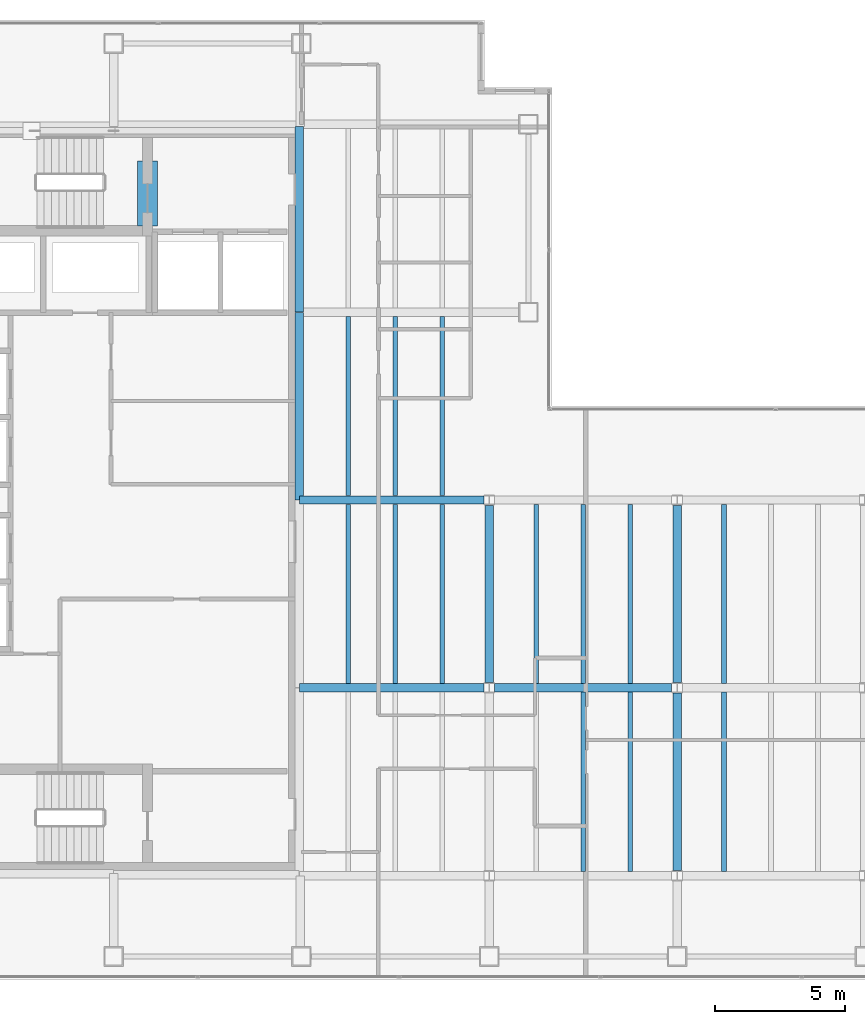
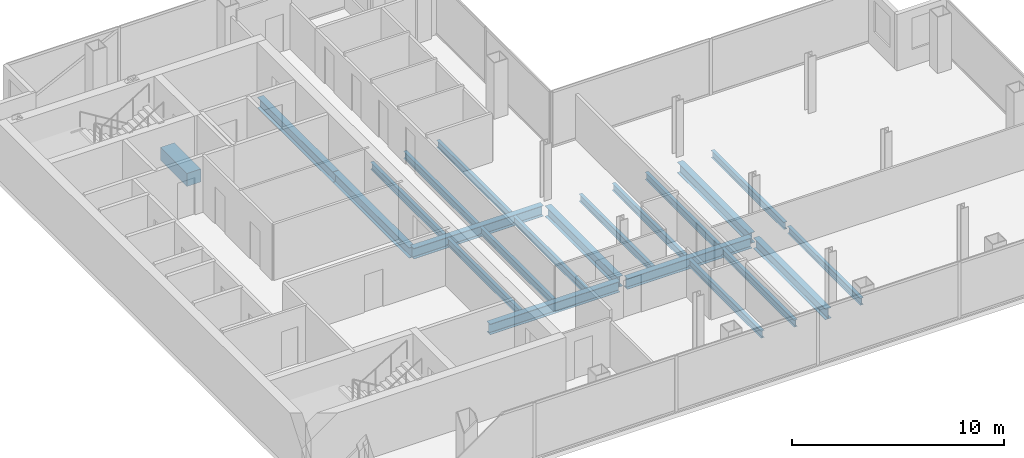
# One storey, part 7 of 23: 22 beams.
"""IFC4 building model written with IfcOpenShell, lengths in metres."""

from ifc_helpers import new_model, si_unit, direction, frame, origin, origin_2d, place, context, subcontext, project, spatial, rectangle, i_section, extrude, material, material_profile, profile_set, type_object, element, save


model = new_model("IFC4")

# Units and contexts
model_context = context("Model", 3, precision=1e-05, world=origin(), true_north=direction((0.0, 1.0)))
body_context = subcontext(model_context, "Body", "Model", "MODEL_VIEW")
ifc_project = project(units=[si_unit("LENGTHUNIT", "METRE"), si_unit("AREAUNIT", "SQUARE_METRE"), si_unit("VOLUMEUNIT", "CUBIC_METRE"), si_unit("PLANEANGLEUNIT", "RADIAN"), si_unit("MASSUNIT", "GRAM", prefix="KILO")], contexts=[model_context])

# Site, building, storey
site_placement = place(None, origin())
site = spatial("IfcSite", under=ifc_project, at=site_placement, CompositionType="ELEMENT")
building_placement = place(site_placement, origin())
building = spatial("IfcBuilding", under=site, at=building_placement, Name="Cobrela Telecom Tower", CompositionType="ELEMENT")
storey_placement = place(building_placement, frame((0.0, 0.0, 204.75)))
storey = spatial("IfcBuildingStorey", under=building, at=storey_placement, Name="L52", CompositionType="ELEMENT", Elevation=204.75)

# Beams
ifc_material_1 = material(Name="Concrete C40/50", Category="concrete")
ifc_material_profile_1 = material_profile(ifc_material_1, rectangle(XDim=0.75, YDim=0.75, at=origin_2d()), Name="RC 750x750")
ifc_profile_set_1 = profile_set([ifc_material_profile_1], Name="Concrete C40/50")
beam_type_1 = type_object("IfcBeamType", Name="BM-COUP-RC", PredefinedType="LINTEL", material=ifc_profile_set_1)
beam_1_placement = place(storey_placement, frame((8.5, 32.10009765625, -0.610107421875), z_axis=(0.0, 1.0, 0.0), x_axis=(-1.0, 0.0, 0.0)))
element("IfcBeam", 1, at=beam_1_placement, inside=storey, type_object=beam_type_1, Name="L52 Core Coupling Lintel Beam", PredefinedType="LINTEL", context=body_context, shape_type="SweptSolid", body=[
    extrude(rectangle(XDim=0.75, YDim=0.75, at=origin_2d()), origin(), (0.0, 0.0, 1.0), 2.5),
])
ifc_material_2 = material(Name="Steel ASTM A992 Grade 50", Category="steel")
ifc_material_profile_2 = material_profile(ifc_material_2, i_section(OverallWidth=0.324951171875, OverallDepth=0.612060546875, WebThickness=0.0126953125, FlangeThickness=0.01904296875, FilletRadius=0.014892578125, at=origin_2d()), Name="W24X104")
ifc_profile_set_2 = profile_set([ifc_material_profile_2], Name="Steel ASTM A992 Grade 50")
beam_type_2 = type_object("IfcBeamType", Name="BM-GIRD-07", PredefinedType="USERDEFINED", material=ifc_profile_set_2)
beam_2_placement = place(storey_placement, frame((14.324951171875, 14.39990234375, -0.56591796875), z_axis=(1.0, 0.0, 0.0), x_axis=(0.0, 1.0, 0.0)))
element("IfcBeam", 2, at=beam_2_placement, inside=storey, type_object=beam_type_2, Name="L52 Primary Girder X11", ObjectType="GIRDER", PredefinedType="USERDEFINED", context=body_context, shape_type="SweptSolid", body=[
    extrude(i_section(OverallWidth=0.324951171875, OverallDepth=0.612060546875, WebThickness=0.0126953125, FlangeThickness=0.01904296875, FilletRadius=0.014892578125, at=origin_2d()), origin(), (0.0, 0.0, 1.0), 7.070556640625),
])
beam_3_placement = place(storey_placement, frame((21.804443359375, 14.39990234375, -0.56591796875), z_axis=(1.0, 0.0, 0.0), x_axis=(0.0, 1.0, 0.0)))
element("IfcBeam", 3, at=beam_3_placement, inside=storey, type_object=beam_type_2, Name="L52 Primary Girder X12", ObjectType="GIRDER", PredefinedType="USERDEFINED", context=body_context, shape_type="SweptSolid", body=[
    extrude(i_section(OverallWidth=0.324951171875, OverallDepth=0.612060546875, WebThickness=0.0126953125, FlangeThickness=0.01904296875, FilletRadius=0.014892578125, at=origin_2d()), origin(), (0.0, 0.0, 1.0), 6.791015625),
])
beam_4_placement = place(storey_placement, frame((14.324951171875, 21.60009765625, -0.56591796875), z_axis=(1.0, 0.0, 0.0), x_axis=(0.0, 1.0, 0.0)))
element("IfcBeam", 4, at=beam_4_placement, inside=storey, type_object=beam_type_2, Name="L52 Primary Girder X15", ObjectType="GIRDER", PredefinedType="USERDEFINED", context=body_context, shape_type="SweptSolid", body=[
    extrude(i_section(OverallWidth=0.324951171875, OverallDepth=0.612060546875, WebThickness=0.0126953125, FlangeThickness=0.01904296875, FilletRadius=0.014892578125, at=origin_2d()), origin(), (0.0, 0.0, 1.0), 7.070556640625),
])
beam_5_placement = place(storey_placement, frame((14.320068359375, 21.60498046875, -0.56591796875), z_axis=(0.0, 1.0, 0.0), x_axis=(-1.0, 0.0, 0.0)))
element("IfcBeam", 5, at=beam_5_placement, inside=storey, type_object=beam_type_2, Name="L52 Primary Girder Y29", ObjectType="GIRDER", PredefinedType="USERDEFINED", context=body_context, shape_type="SweptSolid", body=[
    extrude(i_section(OverallWidth=0.324951171875, OverallDepth=0.612060546875, WebThickness=0.0126953125, FlangeThickness=0.01904296875, FilletRadius=0.014892578125, at=origin_2d()), origin(), (0.0, 0.0, 1.0), 7.18994140625),
])
beam_6_placement = place(storey_placement, frame((14.320068359375, 28.804931640625, -0.56591796875), z_axis=(0.0, 1.0, 0.0), x_axis=(-1.0, 0.0, 0.0)))
element("IfcBeam", 6, at=beam_6_placement, inside=storey, type_object=beam_type_2, Name="L52 Primary Girder Y30", ObjectType="GIRDER", PredefinedType="USERDEFINED", context=body_context, shape_type="SweptSolid", body=[
    extrude(i_section(OverallWidth=0.324951171875, OverallDepth=0.612060546875, WebThickness=0.0126953125, FlangeThickness=0.01904296875, FilletRadius=0.014892578125, at=origin_2d()), origin(), (0.0, 0.0, 1.0), 7.110107421875),
])
for number, where, z_axis, x_axis, name in (
    (7, (21.60009765625, 14.6044921875, -0.56591796875), (0.0, 1.0, 0.0), (-1.0, 0.0, 0.0), "L52 Primary Girder Y34"),
    (8, (28.800048828125, 7.404541015625, -0.56591796875), (0.0, 1.0, 0.0), (-1.0, 0.0, 0.0), "L52 Primary Girder Y37"),
    (9, (28.800048828125, 14.6044921875, -0.56591796875), (0.0, 1.0, 0.0), (-1.0, 0.0, 0.0), "L52 Primary Girder Y38"),
):
    element("IfcBeam", number, at=place(storey_placement, frame(where, z_axis=z_axis, x_axis=x_axis)), inside=storey, type_object=beam_type_2, Name=name, ObjectType="GIRDER", PredefinedType="USERDEFINED", context=body_context, shape_type="SweptSolid", body=[
        extrude(i_section(OverallWidth=0.324951171875, OverallDepth=0.612060546875, WebThickness=0.0126953125, FlangeThickness=0.01904296875, FilletRadius=0.014892578125, at=origin_2d()), origin(), (0.0, 0.0, 1.0), 6.791015625),
    ])
ifc_material_profile_3 = material_profile(ifc_material_2, i_section(OverallWidth=0.179931640625, OverallDepth=0.4169921875, WebThickness=0.010986328125, FlangeThickness=0.01806640625, FilletRadius=0.011962890625, at=origin_2d()), Name="W16X57")
ifc_profile_set_3 = profile_set([ifc_material_profile_3], Name="Steel ASTM A992 Grade 50")
beam_type_3 = type_object("IfcBeamType", Name="BM-JOIST-04", PredefinedType="JOIST", material=ifc_profile_set_3)
beam_7_placement = place(storey_placement, frame((16.199951171875, 14.5673828125, -0.468505859375), z_axis=(0.0, 1.0, 0.0), x_axis=(-1.0, 0.0, 0.0)))
element("IfcBeam", 10, at=beam_7_placement, inside=storey, type_object=beam_type_3, Name="L52 Secondary Composite Floor Beam J02", PredefinedType="JOIST", context=body_context, shape_type="SweptSolid", body=[
    extrude(i_section(OverallWidth=0.179931640625, OverallDepth=0.4169921875, WebThickness=0.010986328125, FlangeThickness=0.01806640625, FilletRadius=0.011962890625, at=origin_2d()), origin(), (0.0, 0.0, 1.0), 6.865234375),
])
beam_8_placement = place(storey_placement, frame((16.199951171875, 21.767578125, -0.468505859375), z_axis=(0.0, 1.0, 0.0), x_axis=(-1.0, 0.0, 0.0)))
element("IfcBeam", 11, at=beam_8_placement, inside=storey, type_object=beam_type_3, Name="L52 Secondary Composite Floor Beam J03", PredefinedType="JOIST", context=body_context, shape_type="SweptSolid", body=[
    extrude(i_section(OverallWidth=0.179931640625, OverallDepth=0.4169921875, WebThickness=0.010986328125, FlangeThickness=0.01806640625, FilletRadius=0.011962890625, at=origin_2d()), origin(), (0.0, 0.0, 1.0), 6.864990234375),
])
beam_9_placement = place(storey_placement, frame((18.0, 14.5673828125, -0.468505859375), z_axis=(0.0, 1.0, 0.0), x_axis=(-1.0, 0.0, 0.0)))
element("IfcBeam", 12, at=beam_9_placement, inside=storey, type_object=beam_type_3, Name="L52 Secondary Composite Floor Beam J06", PredefinedType="JOIST", context=body_context, shape_type="SweptSolid", body=[
    extrude(i_section(OverallWidth=0.179931640625, OverallDepth=0.4169921875, WebThickness=0.010986328125, FlangeThickness=0.01806640625, FilletRadius=0.011962890625, at=origin_2d()), origin(), (0.0, 0.0, 1.0), 6.865234375),
])
beam_10_placement = place(storey_placement, frame((18.0, 21.767578125, -0.468505859375), z_axis=(0.0, 1.0, 0.0), x_axis=(-1.0, 0.0, 0.0)))
element("IfcBeam", 13, at=beam_10_placement, inside=storey, type_object=beam_type_3, Name="L52 Secondary Composite Floor Beam J07", PredefinedType="JOIST", context=body_context, shape_type="SweptSolid", body=[
    extrude(i_section(OverallWidth=0.179931640625, OverallDepth=0.4169921875, WebThickness=0.010986328125, FlangeThickness=0.01806640625, FilletRadius=0.011962890625, at=origin_2d()), origin(), (0.0, 0.0, 1.0), 6.864990234375),
])
beam_11_placement = place(storey_placement, frame((19.800048828125, 14.5673828125, -0.468505859375), z_axis=(0.0, 1.0, 0.0), x_axis=(-1.0, 0.0, 0.0)))
element("IfcBeam", 14, at=beam_11_placement, inside=storey, type_object=beam_type_3, Name="L52 Secondary Composite Floor Beam J10", PredefinedType="JOIST", context=body_context, shape_type="SweptSolid", body=[
    extrude(i_section(OverallWidth=0.179931640625, OverallDepth=0.4169921875, WebThickness=0.010986328125, FlangeThickness=0.01806640625, FilletRadius=0.011962890625, at=origin_2d()), origin(), (0.0, 0.0, 1.0), 6.865234375),
])
beam_12_placement = place(storey_placement, frame((19.800048828125, 21.767578125, -0.468505859375), z_axis=(0.0, 1.0, 0.0), x_axis=(-1.0, 0.0, 0.0)))
element("IfcBeam", 15, at=beam_12_placement, inside=storey, type_object=beam_type_3, Name="L52 Secondary Composite Floor Beam J11", PredefinedType="JOIST", context=body_context, shape_type="SweptSolid", body=[
    extrude(i_section(OverallWidth=0.179931640625, OverallDepth=0.4169921875, WebThickness=0.010986328125, FlangeThickness=0.01806640625, FilletRadius=0.011962890625, at=origin_2d()), origin(), (0.0, 0.0, 1.0), 6.864990234375),
])
beam_13_placement = place(storey_placement, frame((23.39990234375, 14.5673828125, -0.468505859375), z_axis=(0.0, 1.0, 0.0), x_axis=(-1.0, 0.0, 0.0)))
element("IfcBeam", 16, at=beam_13_placement, inside=storey, type_object=beam_type_3, Name="L52 Secondary Composite Floor Beam J14", PredefinedType="JOIST", context=body_context, shape_type="SweptSolid", body=[
    extrude(i_section(OverallWidth=0.179931640625, OverallDepth=0.4169921875, WebThickness=0.010986328125, FlangeThickness=0.01806640625, FilletRadius=0.011962890625, at=origin_2d()), origin(), (0.0, 0.0, 1.0), 6.865234375),
])
beam_14_placement = place(storey_placement, frame((25.199951171875, 7.367431640625, -0.468505859375), z_axis=(0.0, 1.0, 0.0), x_axis=(-1.0, 0.0, 0.0)))
element("IfcBeam", 17, at=beam_14_placement, inside=storey, type_object=beam_type_3, Name="L52 Secondary Composite Floor Beam J15", PredefinedType="JOIST", context=body_context, shape_type="SweptSolid", body=[
    extrude(i_section(OverallWidth=0.179931640625, OverallDepth=0.4169921875, WebThickness=0.010986328125, FlangeThickness=0.01806640625, FilletRadius=0.011962890625, at=origin_2d()), origin(), (0.0, 0.0, 1.0), 6.864990234375),
])
beam_15_placement = place(storey_placement, frame((25.199951171875, 14.5673828125, -0.468505859375), z_axis=(0.0, 1.0, 0.0), x_axis=(-1.0, 0.0, 0.0)))
element("IfcBeam", 18, at=beam_15_placement, inside=storey, type_object=beam_type_3, Name="L52 Secondary Composite Floor Beam J16", PredefinedType="JOIST", context=body_context, shape_type="SweptSolid", body=[
    extrude(i_section(OverallWidth=0.179931640625, OverallDepth=0.4169921875, WebThickness=0.010986328125, FlangeThickness=0.01806640625, FilletRadius=0.011962890625, at=origin_2d()), origin(), (0.0, 0.0, 1.0), 6.865234375),
])
beam_16_placement = place(storey_placement, frame((27.0, 7.367431640625, -0.468505859375), z_axis=(0.0, 1.0, 0.0), x_axis=(-1.0, 0.0, 0.0)))
element("IfcBeam", 19, at=beam_16_placement, inside=storey, type_object=beam_type_3, Name="L52 Secondary Composite Floor Beam J17", PredefinedType="JOIST", context=body_context, shape_type="SweptSolid", body=[
    extrude(i_section(OverallWidth=0.179931640625, OverallDepth=0.4169921875, WebThickness=0.010986328125, FlangeThickness=0.01806640625, FilletRadius=0.011962890625, at=origin_2d()), origin(), (0.0, 0.0, 1.0), 6.864990234375),
])
beam_17_placement = place(storey_placement, frame((27.0, 14.5673828125, -0.468505859375), z_axis=(0.0, 1.0, 0.0), x_axis=(-1.0, 0.0, 0.0)))
element("IfcBeam", 20, at=beam_17_placement, inside=storey, type_object=beam_type_3, Name="L52 Secondary Composite Floor Beam J18", PredefinedType="JOIST", context=body_context, shape_type="SweptSolid", body=[
    extrude(i_section(OverallWidth=0.179931640625, OverallDepth=0.4169921875, WebThickness=0.010986328125, FlangeThickness=0.01806640625, FilletRadius=0.011962890625, at=origin_2d()), origin(), (0.0, 0.0, 1.0), 6.865234375),
])
beam_18_placement = place(storey_placement, frame((30.60009765625, 7.367431640625, -0.468505859375), z_axis=(0.0, 1.0, 0.0), x_axis=(-1.0, 0.0, 0.0)))
element("IfcBeam", 21, at=beam_18_placement, inside=storey, type_object=beam_type_3, Name="L52 Secondary Composite Floor Beam J19", PredefinedType="JOIST", context=body_context, shape_type="SweptSolid", body=[
    extrude(i_section(OverallWidth=0.179931640625, OverallDepth=0.4169921875, WebThickness=0.010986328125, FlangeThickness=0.01806640625, FilletRadius=0.011962890625, at=origin_2d()), origin(), (0.0, 0.0, 1.0), 6.864990234375),
])
beam_19_placement = place(storey_placement, frame((30.60009765625, 14.5673828125, -0.468505859375), z_axis=(0.0, 1.0, 0.0), x_axis=(-1.0, 0.0, 0.0)))
element("IfcBeam", 22, at=beam_19_placement, inside=storey, type_object=beam_type_3, Name="L52 Secondary Composite Floor Beam J20", PredefinedType="JOIST", context=body_context, shape_type="SweptSolid", body=[
    extrude(i_section(OverallWidth=0.179931640625, OverallDepth=0.4169921875, WebThickness=0.010986328125, FlangeThickness=0.01806640625, FilletRadius=0.011962890625, at=origin_2d()), origin(), (0.0, 0.0, 1.0), 6.865234375),
])

save(model, "model.ifc")
